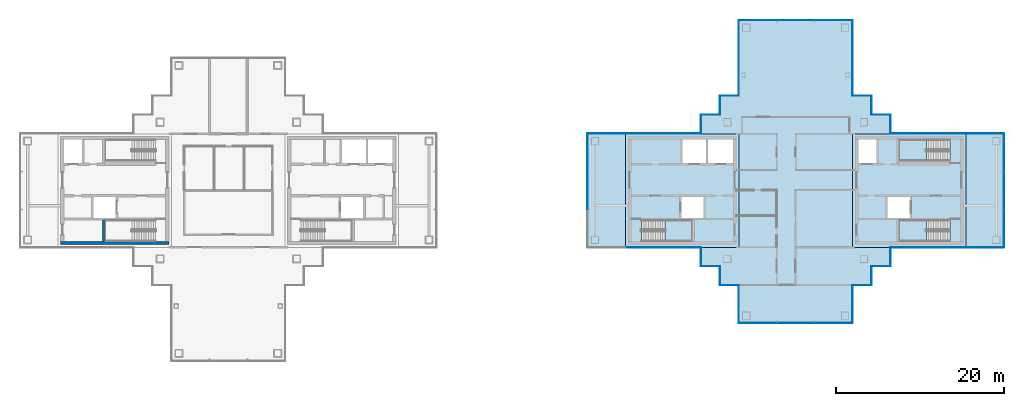
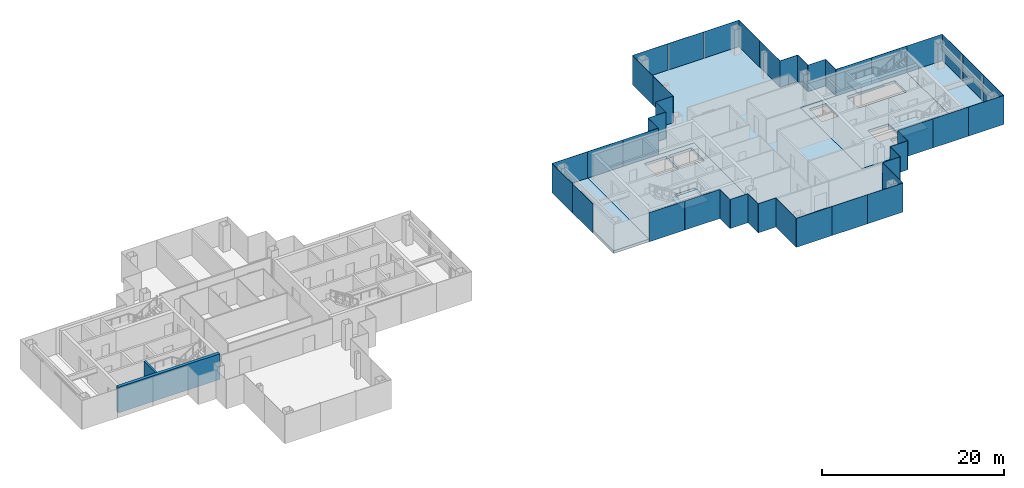
# One storey, part 8 of 15: 44 plates, 8 slabs, 2 walls, 22 elements without a shape of their own.
"""IFC4 building model written with IfcOpenShell, lengths in metres."""

from ifc_helpers import new_model, si_unit, direction, frame, frame_2d, origin, origin_2d, place, context, subcontext, project, spatial, polyline, rectangle, outline, extrude, material, layer, layer_set, type_object, element, aggregate, save


model = new_model("IFC4")

# Units and contexts
model_context = context("Model", 3, precision=1e-05, world=origin(), true_north=direction((0.0, 1.0)))
body_context = subcontext(model_context, "Body", "Model", "MODEL_VIEW")
ifc_project = project(units=[si_unit("LENGTHUNIT", "METRE"), si_unit("AREAUNIT", "SQUARE_METRE"), si_unit("VOLUMEUNIT", "CUBIC_METRE"), si_unit("PLANEANGLEUNIT", "RADIAN"), si_unit("MASSUNIT", "GRAM", prefix="KILO")], contexts=[model_context])

# Site, building, storey
site_placement = place(None, origin())
site = spatial("IfcSite", under=ifc_project, at=site_placement, CompositionType="ELEMENT")
building_placement = place(site_placement, origin())
building = spatial("IfcBuilding", under=site, at=building_placement, Name="Shamsa Quay Exchange Towers", CompositionType="ELEMENT")
storey_placement = place(building_placement, frame((0.0, 0.0, 269.39990234375)))
storey = spatial("IfcBuildingStorey", under=building, at=storey_placement, Name="L65", CompositionType="ELEMENT", Elevation=269.39990234375)

# Slabs
ifc_material_1 = material(Name="Concrete C50/60", Category="concrete")
ifc_layer_1 = layer(ifc_material_1, 0.35009765625)
ifc_layer_set_1 = layer_set([ifc_layer_1], Name="CORE FLOOR 350 C50/60")
slab_type_1 = type_object("IfcSlabType", Name="CORE FLOOR 350 C50/60", PredefinedType="FLOOR", material=ifc_layer_set_1)
slab_1_placement = place(storey_placement, frame((0.0, 0.0, -0.349853515625)))
element("IfcSlab", 1, at=slab_1_placement, inside=storey, type_object=slab_type_1, Name="Core floor T2A", PredefinedType="FLOOR", context=body_context, shape_type="SweptSolid", body=[
    extrude(outline(polyline([(13.5, -6.75), (27.0, -6.75), (27.0, 6.75), (13.5, 6.75), (13.5, -6.75)]), holes=[polyline([(15.400634765625, -6.050048828125), (15.400634765625, -3.5), (21.5, -3.5), (21.5, -6.050048828125), (15.400634765625, -6.050048828125)]), polyline([(20.300048828125, 3.25), (20.300048828125, 6.050048828125), (23.10009765625, 6.050048828125), (23.10009765625, 3.25), (20.300048828125, 3.25)]), polyline([(23.35009765625, 3.25), (23.35009765625, 6.050048828125), (26.300048828125, 6.050048828125), (26.300048828125, 3.25), (23.35009765625, 3.25)]), polyline([(20.14990234375, -3.25), (20.14990234375, -0.75), (22.800048828125, -0.75), (22.800048828125, -3.25), (20.14990234375, -3.25)])]), origin(), (0.0, 0.0, 1.0), 0.349853515625),
])
slab_2_placement = place(storey_placement, frame((0.0, 0.0, -0.349853515625)))
element("IfcSlab", 2, at=slab_2_placement, inside=storey, type_object=slab_type_1, Name="Core floor T2B", PredefinedType="FLOOR", context=body_context, shape_type="SweptSolid", body=[
    extrude(outline(polyline([(54.0, -6.75), (54.0, 6.75), (40.5, 6.75), (40.5, -6.75), (54.0, -6.75)]), holes=[polyline([(52.099365234375, -3.5), (52.099365234375, -6.050048828125), (46.0, -6.050048828125), (46.0, -3.5), (52.099365234375, -3.5)]), polyline([(52.099365234375, 6.050048828125), (52.099365234375, 3.5), (46.0, 3.5), (46.0, 6.050048828125), (52.099365234375, 6.050048828125)]), polyline([(43.35009765625, 3.25), (41.199951171875, 3.25), (41.199951171875, 6.050048828125), (43.35009765625, 6.050048828125), (43.35009765625, 3.25)]), polyline([(47.35009765625, -3.25), (44.699951171875, -3.25), (44.699951171875, -0.75), (47.35009765625, -0.75), (47.35009765625, -3.25)])]), origin(), (0.0, 0.0, 1.0), 0.349853515625),
])

# Stair, slab
ifc_material_2 = material(Name="Concrete C40/50", Category="concrete")
stair_type = type_object("IfcStairType", Name="EXIT STAIR 22 RISERS 177 MM", PredefinedType="HALF_TURN_STAIR", material=ifc_material_2)
stair_1_placement = place(storey_placement, origin())
stair_1 = element("IfcStair", 3, at=stair_1_placement, inside=storey, type_object=stair_type, Name="L65 Exit stair ST4", PredefinedType="HALF_TURN_STAIR")
ifc_layer_2 = layer(ifc_material_2, 0.199951171875)
ifc_layer_set_2 = layer_set([ifc_layer_2], Name="CORE STAIR LANDING")
slab_type_2 = type_object("IfcSlabType", Name="CORE STAIR LANDING", PredefinedType="LANDING", material=ifc_layer_set_2)
slab_3_placement = place(storey_placement, frame((0.0, 0.0, 1.75)))
slab_3 = element("IfcSlab", 4, at=slab_3_placement, type_object=slab_type_2, Name="ST4 landing 1", PredefinedType="LANDING", context=body_context, shape_type="SweptSolid", body=[
    extrude(outline(polyline([(18.199951171875, -6.050048828125), (21.5, -6.050048828125), (21.5, -3.5), (18.199951171875, -3.5), (18.199951171875, -6.050048828125)])), origin(), (0.0, 0.0, 1.0), 0.2001953125),
])
aggregate(stair_1, [slab_3])

stair_2_placement = place(storey_placement, origin())
stair_2 = element("IfcStair", 5, at=stair_2_placement, inside=storey, type_object=stair_type, Name="L65 Exit stair ST5", PredefinedType="HALF_TURN_STAIR")
slab_4_placement = place(storey_placement, frame((0.0, 0.0, 1.75)))
slab_4 = element("IfcSlab", 6, at=slab_4_placement, type_object=slab_type_2, Name="ST5 landing 1", PredefinedType="LANDING", context=body_context, shape_type="SweptSolid", body=[
    extrude(outline(polyline([(49.300048828125, -3.5), (46.0, -3.5), (46.0, -6.050048828125), (49.300048828125, -6.050048828125), (49.300048828125, -3.5)])), origin(), (0.0, 0.0, 1.0), 0.2001953125),
])
aggregate(stair_2, [slab_4])

stair_3_placement = place(storey_placement, origin())
stair_3 = element("IfcStair", 7, at=stair_3_placement, inside=storey, type_object=stair_type, Name="L65 Exit stair ST6", PredefinedType="HALF_TURN_STAIR")
slab_5_placement = place(storey_placement, frame((0.0, 0.0, 1.75)))
slab_5 = element("IfcSlab", 8, at=slab_5_placement, type_object=slab_type_2, Name="ST6 landing 1", PredefinedType="LANDING", context=body_context, shape_type="SweptSolid", body=[
    extrude(outline(polyline([(49.300048828125, 6.050048828125), (46.0, 6.050048828125), (46.0, 3.5), (49.300048828125, 3.5), (49.300048828125, 6.050048828125)])), origin(), (0.0, 0.0, 1.0), 0.2001953125),
])
aggregate(stair_3, [slab_5])

# Curtain wall, plate
ifc_material_3 = material(Name="Aluminium EN AW-6063 T6, black anodised", Category="aluminium")
ifc_layer_3 = layer(ifc_material_3, 0.280029296875)
ifc_layer_set_3 = layer_set([ifc_layer_3], Name="CW-1 UNITISED VISION GLASS")
curtain_wall_type_1 = type_object("IfcCurtainWallType", Name="CW-1 UNITISED VISION GLASS", PredefinedType="NOTDEFINED", material=ifc_layer_set_3)
curtain_wall_1_placement = place(storey_placement, origin())
curtain_wall_1 = element("IfcCurtainWall", 9, at=curtain_wall_1_placement, inside=storey, type_object=curtain_wall_type_1, Name="CW1 T2-FLK-V-W L65", PredefinedType="NOTDEFINED")
ifc_material_4 = material(Name="Glass, laminated, dark tinted", Category="glass")
ifc_layer_4 = layer(ifc_material_4, 0.0400390625)
ifc_layer_set_4 = layer_set([ifc_layer_4], Name="CW-1 VISION GLASS 40")
plate_type_1 = type_object("IfcPlateType", Name="CW-1 VISION GLASS 40", PredefinedType="CURTAIN_PANEL", material=ifc_layer_set_4)
plate_1_placement = place(storey_placement, frame((56.25, -6.77001953125, -0.349853515625)))
plate_1 = element("IfcPlate", 10, at=plate_1_placement, type_object=plate_type_1, Name="CW1 glass panel", PredefinedType="CURTAIN_PANEL", context=body_context, shape_type="SweptSolid", body=[
    extrude(rectangle(XDim=4.5, YDim=0.0400390625, at=origin_2d()), origin(), (0.0, 0.0, 1.0), 3.89990234375),
])
aggregate(curtain_wall_1, [plate_1])

# Curtain wall, plates
curtain_wall_2_placement = place(storey_placement, origin())
curtain_wall_2 = element("IfcCurtainWall", 11, at=curtain_wall_2_placement, inside=storey, type_object=curtain_wall_type_1, Name="CW1 T2-END-V- L65", PredefinedType="NOTDEFINED")
plate_2_placement = place(storey_placement, frame((58.52001953125, -4.50244140625, -0.349853515625), z_axis=(0.0, 0.0, 1.0), x_axis=(0.0, 1.0, 0.0)))
plate_2 = element("IfcPlate", 12, at=plate_2_placement, type_object=plate_type_1, Name="CW1 glass panel", PredefinedType="CURTAIN_PANEL", context=body_context, shape_type="SweptSolid", body=[
    extrude(rectangle(XDim=4.4951171875, YDim=0.0400390625, at=origin_2d()), origin(), (0.0, 0.0, 1.0), 3.89990234375),
])
plate_3_placement = place(storey_placement, frame((58.52001953125, 0.0, -0.349853515625), z_axis=(0.0, 0.0, 1.0), x_axis=(0.0, 1.0, 0.0)))
plate_3 = element("IfcPlate", 13, at=plate_3_placement, type_object=plate_type_1, Name="CW1 glass panel", PredefinedType="CURTAIN_PANEL", context=body_context, shape_type="SweptSolid", body=[
    extrude(rectangle(XDim=4.489990234375, YDim=0.0400390625, at=origin_2d()), origin(), (0.0, 0.0, 1.0), 3.89990234375),
])
plate_4_placement = place(storey_placement, frame((58.52001953125, 4.50244140625, -0.349853515625), z_axis=(0.0, 0.0, 1.0), x_axis=(0.0, 1.0, 0.0)))
plate_4 = element("IfcPlate", 14, at=plate_4_placement, type_object=plate_type_1, Name="CW1 glass panel", PredefinedType="CURTAIN_PANEL", context=body_context, shape_type="SweptSolid", body=[
    extrude(rectangle(XDim=4.4951171875, YDim=0.0400390625, at=origin_2d()), origin(), (0.0, 0.0, 1.0), 3.89990234375),
])
aggregate(curtain_wall_2, [plate_2, plate_3, plate_4])

# Curtain wall, plate
curtain_wall_3_placement = place(storey_placement, origin())
curtain_wall_3 = element("IfcCurtainWall", 15, at=curtain_wall_3_placement, inside=storey, type_object=curtain_wall_type_1, Name="CW1 T2-FLK-V-E L65", PredefinedType="NOTDEFINED")
plate_5_placement = place(storey_placement, frame((56.25, 6.77001953125, -0.349853515625), z_axis=(0.0, 0.0, 1.0), x_axis=(-1.0, 0.0, 0.0)))
plate_5 = element("IfcPlate", 16, at=plate_5_placement, type_object=plate_type_1, Name="CW1 glass panel", PredefinedType="CURTAIN_PANEL", context=body_context, shape_type="SweptSolid", body=[
    extrude(rectangle(XDim=4.5, YDim=0.0400390625, at=origin_2d()), origin(), (0.0, 0.0, 1.0), 3.89990234375),
])
aggregate(curtain_wall_3, [plate_5])

# Curtain wall, plates
curtain_wall_4_placement = place(storey_placement, origin())
curtain_wall_4 = element("IfcCurtainWall", 17, at=curtain_wall_4_placement, inside=storey, type_object=curtain_wall_type_1, Name="CW1 T2-FLK-U+S L65", PredefinedType="NOTDEFINED")
plate_6_placement = place(storey_placement, frame((40.52001953125, 13.52587890625, -0.349853515625), z_axis=(0.0, 0.0, 1.0), x_axis=(0.0, 1.0, 0.0)))
plate_6 = element("IfcPlate", 18, at=plate_6_placement, type_object=plate_type_1, Name="CW1 glass panel", PredefinedType="CURTAIN_PANEL", context=body_context, shape_type="SweptSolid", body=[
    extrude(rectangle(XDim=4.47607421875, YDim=0.0400390625, at=origin_2d()), origin(), (0.0, 0.0, 1.0), 3.89990234375),
])
plate_7_placement = place(storey_placement, frame((40.52001953125, 18.011962890625, -0.349853515625), z_axis=(0.0, 0.0, 1.0), x_axis=(0.0, 1.0, 0.0)))
plate_7 = element("IfcPlate", 19, at=plate_7_placement, type_object=plate_type_1, Name="CW1 glass panel", PredefinedType="CURTAIN_PANEL", context=body_context, shape_type="SweptSolid", body=[
    extrude(rectangle(XDim=4.47607421875, YDim=0.0400390625, at=origin_2d()), origin(), (0.0, 0.0, 1.0), 3.89990234375),
])
aggregate(curtain_wall_4, [plate_6, plate_7])

curtain_wall_5_placement = place(storey_placement, origin())
curtain_wall_5 = element("IfcCurtainWall", 20, at=curtain_wall_5_placement, inside=storey, type_object=curtain_wall_type_1, Name="CW1 T2-END-U+ L65", PredefinedType="NOTDEFINED")
plate_8_placement = place(storey_placement, frame((38.25244140625, 20.27001953125, -0.349853515625), z_axis=(0.0, 0.0, 1.0), x_axis=(-1.0, 0.0, 0.0)))
plate_8 = element("IfcPlate", 21, at=plate_8_placement, type_object=plate_type_1, Name="CW1 glass panel", PredefinedType="CURTAIN_PANEL", context=body_context, shape_type="SweptSolid", body=[
    extrude(rectangle(XDim=4.4951171875, YDim=0.0400390625, at=origin_2d()), origin(), (0.0, 0.0, 1.0), 3.89990234375),
])
plate_9_placement = place(storey_placement, frame((33.75, 20.27001953125, -0.349853515625), z_axis=(0.0, 0.0, 1.0), x_axis=(-1.0, 0.0, 0.0)))
plate_9 = element("IfcPlate", 22, at=plate_9_placement, type_object=plate_type_1, Name="CW1 glass panel", PredefinedType="CURTAIN_PANEL", context=body_context, shape_type="SweptSolid", body=[
    extrude(rectangle(XDim=4.489990234375, YDim=0.0400390625, at=origin_2d()), origin(), (0.0, 0.0, 1.0), 3.89990234375),
])
plate_10_placement = place(storey_placement, frame((29.24755859375, 20.27001953125, -0.349853515625), z_axis=(0.0, 0.0, 1.0), x_axis=(-1.0, 0.0, 0.0)))
plate_10 = element("IfcPlate", 23, at=plate_10_placement, type_object=plate_type_1, Name="CW1 glass panel", PredefinedType="CURTAIN_PANEL", context=body_context, shape_type="SweptSolid", body=[
    extrude(rectangle(XDim=4.4951171875, YDim=0.0400390625, at=origin_2d()), origin(), (0.0, 0.0, 1.0), 3.89990234375),
])
aggregate(curtain_wall_5, [plate_8, plate_9, plate_10])

curtain_wall_6_placement = place(storey_placement, origin())
curtain_wall_6 = element("IfcCurtainWall", 24, at=curtain_wall_6_placement, inside=storey, type_object=curtain_wall_type_1, Name="CW1 T2-FLK-U+N L65", PredefinedType="NOTDEFINED")
plate_11_placement = place(storey_placement, frame((26.97998046875, 18.00244140625, -0.349853515625), z_axis=(0.0, 0.0, 1.0), x_axis=(0.0, -1.0, 0.0)))
plate_11 = element("IfcPlate", 25, at=plate_11_placement, type_object=plate_type_1, Name="CW1 glass panel", PredefinedType="CURTAIN_PANEL", context=body_context, shape_type="SweptSolid", body=[
    extrude(rectangle(XDim=4.4951171875, YDim=0.0400390625, at=origin_2d()), origin(), (0.0, 0.0, 1.0), 3.89990234375),
])
plate_12_placement = place(storey_placement, frame((26.97998046875, 13.49755859375, -0.349853515625), z_axis=(0.0, 0.0, 1.0), x_axis=(0.0, -1.0, 0.0)))
plate_12 = element("IfcPlate", 26, at=plate_12_placement, type_object=plate_type_1, Name="CW1 glass panel", PredefinedType="CURTAIN_PANEL", context=body_context, shape_type="SweptSolid", body=[
    extrude(rectangle(XDim=4.4951171875, YDim=0.0400390625, at=origin_2d()), origin(), (0.0, 0.0, 1.0), 3.89990234375),
])
aggregate(curtain_wall_6, [plate_11, plate_12])

# Curtain wall, plate
curtain_wall_7_placement = place(storey_placement, origin())
curtain_wall_7 = element("IfcCurtainWall", 27, at=curtain_wall_7_placement, inside=storey, type_object=curtain_wall_type_1, Name="CW1 T2-FLK-V+E L65", PredefinedType="NOTDEFINED")
plate_13_placement = place(storey_placement, frame((11.25, 6.77001953125, -0.349853515625), z_axis=(0.0, 0.0, 1.0), x_axis=(-1.0, 0.0, 0.0)))
plate_13 = element("IfcPlate", 28, at=plate_13_placement, type_object=plate_type_1, Name="CW1 glass panel", PredefinedType="CURTAIN_PANEL", context=body_context, shape_type="SweptSolid", body=[
    extrude(rectangle(XDim=4.5, YDim=0.0400390625, at=origin_2d()), origin(), (0.0, 0.0, 1.0), 3.89990234375),
])
aggregate(curtain_wall_7, [plate_13])

# Curtain wall, plates
curtain_wall_8_placement = place(storey_placement, origin())
curtain_wall_8 = element("IfcCurtainWall", 29, at=curtain_wall_8_placement, inside=storey, type_object=curtain_wall_type_1, Name="CW1 T2-END-V+ L65", PredefinedType="NOTDEFINED")
plate_14_placement = place(storey_placement, frame((8.97998046875, 4.50244140625, -0.349853515625), z_axis=(0.0, 0.0, 1.0), x_axis=(0.0, -1.0, 0.0)))
plate_14 = element("IfcPlate", 30, at=plate_14_placement, type_object=plate_type_1, Name="CW1 glass panel", PredefinedType="CURTAIN_PANEL", context=body_context, shape_type="SweptSolid", body=[
    extrude(rectangle(XDim=4.4951171875, YDim=0.0400390625, at=origin_2d()), origin(), (0.0, 0.0, 1.0), 3.89990234375),
])
plate_15_placement = place(storey_placement, frame((8.97998046875, 0.0, -0.349853515625), z_axis=(0.0, 0.0, 1.0), x_axis=(0.0, -1.0, 0.0)))
plate_15 = element("IfcPlate", 31, at=plate_15_placement, type_object=plate_type_1, Name="CW1 glass panel", PredefinedType="CURTAIN_PANEL", context=body_context, shape_type="SweptSolid", body=[
    extrude(rectangle(XDim=4.489990234375, YDim=0.0400390625, at=origin_2d()), origin(), (0.0, 0.0, 1.0), 3.89990234375),
])
aggregate(curtain_wall_8, [plate_14, plate_15])

# Curtain wall, plate
curtain_wall_9_placement = place(storey_placement, origin())
curtain_wall_9 = element("IfcCurtainWall", 32, at=curtain_wall_9_placement, inside=storey, type_object=curtain_wall_type_1, Name="CW1 T2-FLK-U-N L65", PredefinedType="NOTDEFINED")
plate_16_placement = place(storey_placement, frame((26.97998046875, -13.51904296875, -0.349853515625), z_axis=(0.0, 0.0, 1.0), x_axis=(0.0, -1.0, 0.0)))
plate_16 = element("IfcPlate", 33, at=plate_16_placement, type_object=plate_type_1, Name="CW1 glass panel", PredefinedType="CURTAIN_PANEL", context=body_context, shape_type="SweptSolid", body=[
    extrude(rectangle(XDim=4.4619140625, YDim=0.0400390625, at=origin_2d()), origin(), (0.0, 0.0, 1.0), 3.89990234375),
])
aggregate(curtain_wall_9, [plate_16])

# Curtain wall, plates
curtain_wall_10_placement = place(storey_placement, origin())
curtain_wall_10 = element("IfcCurtainWall", 34, at=curtain_wall_10_placement, inside=storey, type_object=curtain_wall_type_1, Name="CW1 T2-END-U- L65", PredefinedType="NOTDEFINED")
plate_17_placement = place(storey_placement, frame((29.24755859375, -15.77001953125, -0.349853515625)))
plate_17 = element("IfcPlate", 35, at=plate_17_placement, type_object=plate_type_1, Name="CW1 glass panel", PredefinedType="CURTAIN_PANEL", context=body_context, shape_type="SweptSolid", body=[
    extrude(rectangle(XDim=4.4951171875, YDim=0.0400390625, at=origin_2d()), origin(), (0.0, 0.0, 1.0), 3.89990234375),
])
plate_18_placement = place(storey_placement, frame((33.75, -15.77001953125, -0.349853515625)))
plate_18 = element("IfcPlate", 36, at=plate_18_placement, type_object=plate_type_1, Name="CW1 glass panel", PredefinedType="CURTAIN_PANEL", context=body_context, shape_type="SweptSolid", body=[
    extrude(rectangle(XDim=4.489990234375, YDim=0.0400390625, at=origin_2d()), origin(), (0.0, 0.0, 1.0), 3.89990234375),
])
plate_19_placement = place(storey_placement, frame((38.25244140625, -15.77001953125, -0.349853515625)))
plate_19 = element("IfcPlate", 37, at=plate_19_placement, type_object=plate_type_1, Name="CW1 glass panel", PredefinedType="CURTAIN_PANEL", context=body_context, shape_type="SweptSolid", body=[
    extrude(rectangle(XDim=4.4951171875, YDim=0.0400390625, at=origin_2d()), origin(), (0.0, 0.0, 1.0), 3.89990234375),
])
aggregate(curtain_wall_10, [plate_17, plate_18, plate_19])

# Curtain wall, plate
curtain_wall_11_placement = place(storey_placement, origin())
curtain_wall_11 = element("IfcCurtainWall", 38, at=curtain_wall_11_placement, inside=storey, type_object=curtain_wall_type_1, Name="CW1 T2-FLK-U-S L65", PredefinedType="NOTDEFINED")
plate_20_placement = place(storey_placement, frame((40.52001953125, -13.5, -0.349853515625), z_axis=(0.0, 0.0, 1.0), x_axis=(0.0, 1.0, 0.0)))
plate_20 = element("IfcPlate", 39, at=plate_20_placement, type_object=plate_type_1, Name="CW1 glass panel", PredefinedType="CURTAIN_PANEL", context=body_context, shape_type="SweptSolid", body=[
    extrude(rectangle(XDim=4.5, YDim=0.0400390625, at=origin_2d()), origin(), (0.0, 0.0, 1.0), 3.89990234375),
])
aggregate(curtain_wall_11, [plate_20])

# Curtain wall, plates
ifc_layer_5 = layer(ifc_material_3, 0.303955078125)
ifc_layer_set_5 = layer_set([ifc_layer_5], Name="CW-2 UNITISED OPAQUE SPANDREL GLASS")
curtain_wall_type_2 = type_object("IfcCurtainWallType", Name="CW-2 UNITISED OPAQUE SPANDREL GLASS", PredefinedType="NOTDEFINED", material=ifc_layer_set_5)
curtain_wall_12_placement = place(storey_placement, origin())
curtain_wall_12 = element("IfcCurtainWall", 40, at=curtain_wall_12_placement, inside=storey, type_object=curtain_wall_type_2, Name="CW2 T2-FLK-V-W L65", PredefinedType="NOTDEFINED")
ifc_material_5 = material(Name="Glass, laminated, black enamelled opaque", Category="glass")
ifc_layer_6 = layer(ifc_material_5, 0.0439453125)
ifc_layer_set_6 = layer_set([ifc_layer_6], Name="CW-2 SPANDREL GLASS 44")
plate_type_2 = type_object("IfcPlateType", Name="CW-2 SPANDREL GLASS 44", PredefinedType="CURTAIN_PANEL", material=ifc_layer_set_6)
plate_21_placement = place(storey_placement, frame((47.27587890625, -6.77197265625, -0.349853515625)))
plate_21 = element("IfcPlate", 41, at=plate_21_placement, type_object=plate_type_2, Name="CW2 glass panel", PredefinedType="CURTAIN_PANEL", context=body_context, shape_type="SweptSolid", body=[
    extrude(rectangle(XDim=4.47607421875, YDim=0.0439453125, at=origin_2d()), origin(), (0.0, 0.0, 1.0), 3.89990234375),
])
plate_22_placement = place(storey_placement, frame((51.761962890625, -6.77197265625, -0.349853515625)))
plate_22 = element("IfcPlate", 42, at=plate_22_placement, type_object=plate_type_2, Name="CW2 glass panel", PredefinedType="CURTAIN_PANEL", context=body_context, shape_type="SweptSolid", body=[
    extrude(rectangle(XDim=4.47607421875, YDim=0.0439453125, at=origin_2d()), origin(), (0.0, 0.0, 1.0), 3.89990234375),
])
aggregate(curtain_wall_12, [plate_21, plate_22])

curtain_wall_13_placement = place(storey_placement, origin())
curtain_wall_13 = element("IfcCurtainWall", 43, at=curtain_wall_13_placement, inside=storey, type_object=curtain_wall_type_2, Name="CW2 T2-FLK-V-E L65", PredefinedType="NOTDEFINED")
plate_23_placement = place(storey_placement, frame((51.75244140625, 6.77197265625, -0.349853515625), z_axis=(0.0, 0.0, 1.0), x_axis=(-1.0, 0.0, 0.0)))
plate_23 = element("IfcPlate", 44, at=plate_23_placement, type_object=plate_type_2, Name="CW2 glass panel", PredefinedType="CURTAIN_PANEL", context=body_context, shape_type="SweptSolid", body=[
    extrude(rectangle(XDim=4.4951171875, YDim=0.0439453125, at=origin_2d()), origin(), (0.0, 0.0, 1.0), 3.89990234375),
])
plate_24_placement = place(storey_placement, frame((47.24755859375, 6.77197265625, -0.349853515625), z_axis=(0.0, 0.0, 1.0), x_axis=(-1.0, 0.0, 0.0)))
plate_24 = element("IfcPlate", 45, at=plate_24_placement, type_object=plate_type_2, Name="CW2 glass panel", PredefinedType="CURTAIN_PANEL", context=body_context, shape_type="SweptSolid", body=[
    extrude(rectangle(XDim=4.4951171875, YDim=0.0439453125, at=origin_2d()), origin(), (0.0, 0.0, 1.0), 3.89990234375),
])
aggregate(curtain_wall_13, [plate_23, plate_24])

curtain_wall_14_placement = place(storey_placement, origin())
curtain_wall_14 = element("IfcCurtainWall", 46, at=curtain_wall_14_placement, inside=storey, type_object=curtain_wall_type_2, Name="CW2 T2-FLK-V+E L65", PredefinedType="NOTDEFINED")
plate_25_placement = place(storey_placement, frame((20.22412109375, 6.77197265625, -0.349853515625), z_axis=(0.0, 0.0, 1.0), x_axis=(-1.0, 0.0, 0.0)))
plate_25 = element("IfcPlate", 47, at=plate_25_placement, type_object=plate_type_2, Name="CW2 glass panel", PredefinedType="CURTAIN_PANEL", context=body_context, shape_type="SweptSolid", body=[
    extrude(rectangle(XDim=4.47607421875, YDim=0.0439453125, at=origin_2d()), origin(), (0.0, 0.0, 1.0), 3.89990234375),
])
plate_26_placement = place(storey_placement, frame((15.738037109375, 6.77197265625, -0.349853515625), z_axis=(0.0, 0.0, 1.0), x_axis=(-1.0, 0.0, 0.0)))
plate_26 = element("IfcPlate", 48, at=plate_26_placement, type_object=plate_type_2, Name="CW2 glass panel", PredefinedType="CURTAIN_PANEL", context=body_context, shape_type="SweptSolid", body=[
    extrude(rectangle(XDim=4.47607421875, YDim=0.0439453125, at=origin_2d()), origin(), (0.0, 0.0, 1.0), 3.89990234375),
])
aggregate(curtain_wall_14, [plate_25, plate_26])

curtain_wall_15_placement = place(storey_placement, origin())
curtain_wall_15 = element("IfcCurtainWall", 49, at=curtain_wall_15_placement, inside=storey, type_object=curtain_wall_type_2, Name="CW2 T2-FLK-V+W L65", PredefinedType="NOTDEFINED")
plate_27_placement = place(storey_placement, frame((15.74755859375, -6.77197265625, -0.349853515625)))
plate_27 = element("IfcPlate", 50, at=plate_27_placement, type_object=plate_type_2, Name="CW2 glass panel", PredefinedType="CURTAIN_PANEL", context=body_context, shape_type="SweptSolid", body=[
    extrude(rectangle(XDim=4.4951171875, YDim=0.0439453125, at=origin_2d()), origin(), (0.0, 0.0, 1.0), 3.89990234375),
])
plate_28_placement = place(storey_placement, frame((20.25244140625, -6.77197265625, -0.349853515625)))
plate_28 = element("IfcPlate", 51, at=plate_28_placement, type_object=plate_type_2, Name="CW2 glass panel", PredefinedType="CURTAIN_PANEL", context=body_context, shape_type="SweptSolid", body=[
    extrude(rectangle(XDim=4.4951171875, YDim=0.0439453125, at=origin_2d()), origin(), (0.0, 0.0, 1.0), 3.89990234375),
])
aggregate(curtain_wall_15, [plate_27, plate_28])

ifc_layer_7 = layer(ifc_material_3, 0.256103515625)
ifc_layer_set_7 = layer_set([ifc_layer_7], Name="CW-4 POCKET SERRATED GLAZING")
curtain_wall_type_3 = type_object("IfcCurtainWallType", Name="CW-4 POCKET SERRATED GLAZING", PredefinedType="NOTDEFINED", material=ifc_layer_set_7)
curtain_wall_16_placement = place(storey_placement, origin())
curtain_wall_16 = element("IfcCurtainWall", 52, at=curtain_wall_16_placement, inside=storey, type_object=curtain_wall_type_3, Name="CW4 PKWS L65", PredefinedType="NOTDEFINED")
ifc_layer_8 = layer(ifc_material_4, 0.035888671875)
ifc_layer_set_8 = layer_set([ifc_layer_8], Name="CW-4 POCKET GLASS 36")
plate_type_3 = type_object("IfcPlateType", Name="CW-4 POCKET GLASS 36", PredefinedType="CURTAIN_PANEL", material=ifc_layer_set_8)
plate_29_placement = place(storey_placement, frame((43.89404296875, -9.01806640625, -0.349853515625)))
plate_29 = element("IfcPlate", 53, at=plate_29_placement, type_object=plate_type_3, Name="CW4 glass panel", PredefinedType="CURTAIN_PANEL", context=body_context, shape_type="SweptSolid", body=[
    extrude(rectangle(XDim=2.2119140625, YDim=0.035888671875, at=origin_2d()), origin(), (0.0, 0.0, 1.0), 3.89990234375),
])
plate_30_placement = place(storey_placement, frame((45.01806640625, -7.875, -0.349853515625), z_axis=(0.0, 0.0, 1.0), x_axis=(0.0, 1.0, 0.0)))
plate_30 = element("IfcPlate", 54, at=plate_30_placement, type_object=plate_type_3, Name="CW4 glass panel", PredefinedType="CURTAIN_PANEL", context=body_context, shape_type="SweptSolid", body=[
    extrude(rectangle(XDim=2.25, YDim=0.035888671875, at=origin_2d()), origin(), (0.0, 0.0, 1.0), 3.89990234375),
])
plate_31_placement = place(storey_placement, frame((41.64599609375, -11.26806640625, -0.349853515625)))
plate_31 = element("IfcPlate", 55, at=plate_31_placement, type_object=plate_type_3, Name="CW4 glass panel", PredefinedType="CURTAIN_PANEL", context=body_context, shape_type="SweptSolid", body=[
    extrude(rectangle(XDim=2.2080078125, YDim=0.035888671875, at=origin_2d()), origin(), (0.0, 0.0, 1.0), 3.89990234375),
])
plate_32_placement = place(storey_placement, frame((42.76806640625, -10.125, -0.349853515625), z_axis=(0.0, 0.0, 1.0), x_axis=(0.0, 1.0, 0.0)))
plate_32 = element("IfcPlate", 56, at=plate_32_placement, type_object=plate_type_3, Name="CW4 glass panel", PredefinedType="CURTAIN_PANEL", context=body_context, shape_type="SweptSolid", body=[
    extrude(rectangle(XDim=2.25, YDim=0.035888671875, at=origin_2d()), origin(), (0.0, 0.0, 1.0), 3.89990234375),
])
aggregate(curtain_wall_16, [plate_29, plate_30, plate_31, plate_32])

curtain_wall_17_placement = place(storey_placement, origin())
curtain_wall_17 = element("IfcCurtainWall", 57, at=curtain_wall_17_placement, inside=storey, type_object=curtain_wall_type_3, Name="CW4 PKES L65", PredefinedType="NOTDEFINED")
plate_33_placement = place(storey_placement, frame((45.01806640625, 7.89794921875, -0.349853515625), z_axis=(0.0, 0.0, 1.0), x_axis=(0.0, 1.0, 0.0)))
plate_33 = element("IfcPlate", 58, at=plate_33_placement, type_object=plate_type_3, Name="CW4 glass panel", PredefinedType="CURTAIN_PANEL", context=body_context, shape_type="SweptSolid", body=[
    extrude(rectangle(XDim=2.2041015625, YDim=0.035888671875, at=origin_2d()), origin(), (0.0, 0.0, 1.0), 3.89990234375),
])
plate_34_placement = place(storey_placement, frame((43.875, 9.01806640625, -0.349853515625), z_axis=(0.0, 0.0, 1.0), x_axis=(-1.0, 0.0, 0.0)))
plate_34 = element("IfcPlate", 59, at=plate_34_placement, type_object=plate_type_3, Name="CW4 glass panel", PredefinedType="CURTAIN_PANEL", context=body_context, shape_type="SweptSolid", body=[
    extrude(rectangle(XDim=2.25, YDim=0.035888671875, at=origin_2d()), origin(), (0.0, 0.0, 1.0), 3.89990234375),
])
plate_35_placement = place(storey_placement, frame((42.76806640625, 10.14404296875, -0.349853515625), z_axis=(0.0, 0.0, 1.0), x_axis=(0.0, 1.0, 0.0)))
plate_35 = element("IfcPlate", 60, at=plate_35_placement, type_object=plate_type_3, Name="CW4 glass panel", PredefinedType="CURTAIN_PANEL", context=body_context, shape_type="SweptSolid", body=[
    extrude(rectangle(XDim=2.2119140625, YDim=0.035888671875, at=origin_2d()), origin(), (0.0, 0.0, 1.0), 3.89990234375),
])
plate_36_placement = place(storey_placement, frame((41.625, 11.26806640625, -0.349853515625), z_axis=(0.0, 0.0, 1.0), x_axis=(-1.0, 0.0, 0.0)))
plate_36 = element("IfcPlate", 61, at=plate_36_placement, type_object=plate_type_3, Name="CW4 glass panel", PredefinedType="CURTAIN_PANEL", context=body_context, shape_type="SweptSolid", body=[
    extrude(rectangle(XDim=2.25, YDim=0.035888671875, at=origin_2d()), origin(), (0.0, 0.0, 1.0), 3.89990234375),
])
aggregate(curtain_wall_17, [plate_33, plate_34, plate_35, plate_36])

curtain_wall_18_placement = place(storey_placement, origin())
curtain_wall_18 = element("IfcCurtainWall", 62, at=curtain_wall_18_placement, inside=storey, type_object=curtain_wall_type_3, Name="CW4 PKEN L65", PredefinedType="NOTDEFINED")
plate_37_placement = place(storey_placement, frame((25.85400390625, 11.26806640625, -0.349853515625), z_axis=(0.0, 0.0, 1.0), x_axis=(-1.0, 0.0, 0.0)))
plate_37 = element("IfcPlate", 63, at=plate_37_placement, type_object=plate_type_3, Name="CW4 glass panel", PredefinedType="CURTAIN_PANEL", context=body_context, shape_type="SweptSolid", body=[
    extrude(rectangle(XDim=2.2080078125, YDim=0.035888671875, at=origin_2d()), origin(), (0.0, 0.0, 1.0), 3.89990234375),
])
plate_38_placement = place(storey_placement, frame((24.73193359375, 10.125, -0.349853515625), z_axis=(0.0, 0.0, 1.0), x_axis=(0.0, -1.0, 0.0)))
plate_38 = element("IfcPlate", 64, at=plate_38_placement, type_object=plate_type_3, Name="CW4 glass panel", PredefinedType="CURTAIN_PANEL", context=body_context, shape_type="SweptSolid", body=[
    extrude(rectangle(XDim=2.25, YDim=0.035888671875, at=origin_2d()), origin(), (0.0, 0.0, 1.0), 3.89990234375),
])
plate_39_placement = place(storey_placement, frame((23.60595703125, 9.01806640625, -0.349853515625), z_axis=(0.0, 0.0, 1.0), x_axis=(-1.0, 0.0, 0.0)))
plate_39 = element("IfcPlate", 65, at=plate_39_placement, type_object=plate_type_3, Name="CW4 glass panel", PredefinedType="CURTAIN_PANEL", context=body_context, shape_type="SweptSolid", body=[
    extrude(rectangle(XDim=2.2119140625, YDim=0.035888671875, at=origin_2d()), origin(), (0.0, 0.0, 1.0), 3.89990234375),
])
plate_40_placement = place(storey_placement, frame((22.48193359375, 7.875, -0.349853515625), z_axis=(0.0, 0.0, 1.0), x_axis=(0.0, -1.0, 0.0)))
plate_40 = element("IfcPlate", 66, at=plate_40_placement, type_object=plate_type_3, Name="CW4 glass panel", PredefinedType="CURTAIN_PANEL", context=body_context, shape_type="SweptSolid", body=[
    extrude(rectangle(XDim=2.25, YDim=0.035888671875, at=origin_2d()), origin(), (0.0, 0.0, 1.0), 3.89990234375),
])
aggregate(curtain_wall_18, [plate_37, plate_38, plate_39, plate_40])

curtain_wall_19_placement = place(storey_placement, origin())
curtain_wall_19 = element("IfcCurtainWall", 67, at=curtain_wall_19_placement, inside=storey, type_object=curtain_wall_type_3, Name="CW4 PKWN L65", PredefinedType="NOTDEFINED")
plate_41_placement = place(storey_placement, frame((22.48193359375, -7.89794921875, -0.349853515625), z_axis=(0.0, 0.0, 1.0), x_axis=(0.0, -1.0, 0.0)))
plate_41 = element("IfcPlate", 68, at=plate_41_placement, type_object=plate_type_3, Name="CW4 glass panel", PredefinedType="CURTAIN_PANEL", context=body_context, shape_type="SweptSolid", body=[
    extrude(rectangle(XDim=2.2041015625, YDim=0.035888671875, at=origin_2d()), origin(), (0.0, 0.0, 1.0), 3.89990234375),
])
plate_42_placement = place(storey_placement, frame((23.625, -9.01806640625, -0.349853515625)))
plate_42 = element("IfcPlate", 69, at=plate_42_placement, type_object=plate_type_3, Name="CW4 glass panel", PredefinedType="CURTAIN_PANEL", context=body_context, shape_type="SweptSolid", body=[
    extrude(rectangle(XDim=2.25, YDim=0.035888671875, at=origin_2d()), origin(), (0.0, 0.0, 1.0), 3.89990234375),
])
plate_43_placement = place(storey_placement, frame((24.73193359375, -10.14404296875, -0.349853515625), z_axis=(0.0, 0.0, 1.0), x_axis=(0.0, -1.0, 0.0)))
plate_43 = element("IfcPlate", 70, at=plate_43_placement, type_object=plate_type_3, Name="CW4 glass panel", PredefinedType="CURTAIN_PANEL", context=body_context, shape_type="SweptSolid", body=[
    extrude(rectangle(XDim=2.2119140625, YDim=0.035888671875, at=origin_2d()), origin(), (0.0, 0.0, 1.0), 3.89990234375),
])
plate_44_placement = place(storey_placement, frame((25.875, -11.26806640625, -0.349853515625)))
plate_44 = element("IfcPlate", 71, at=plate_44_placement, type_object=plate_type_3, Name="CW4 glass panel", PredefinedType="CURTAIN_PANEL", context=body_context, shape_type="SweptSolid", body=[
    extrude(rectangle(XDim=2.25, YDim=0.035888671875, at=origin_2d()), origin(), (0.0, 0.0, 1.0), 3.89990234375),
])
aggregate(curtain_wall_19, [plate_41, plate_42, plate_43, plate_44])

# Slabs
ifc_layer_9 = layer(ifc_material_2, 0.35009765625)
ifc_layer_set_9 = layer_set([ifc_layer_9], Name="Flat slab 350")
slab_type_3 = type_object("IfcSlabType", Name="Flat slab 350", PredefinedType="FLOOR", material=ifc_layer_set_9)
slab_6_placement = place(storey_placement, frame((0.0, 0.0, -0.349853515625)))
element("IfcSlab", 72, at=slab_6_placement, inside=storey, type_object=slab_type_3, Name="Flat slab T2 L65 4", PredefinedType="FLOOR", context=body_context, shape_type="SweptSolid", body=[
    extrude(outline(polyline([(9.0, -6.75), (13.5, -6.75), (13.5, 6.75), (9.0, 6.75), (9.0, -6.75)])), origin(), (0.0, 0.0, 1.0), 0.349853515625),
])
slab_7_placement = place(storey_placement, frame((0.0, 0.0, -0.349853515625)))
element("IfcSlab", 73, at=slab_7_placement, inside=storey, type_object=slab_type_3, Name="Flat slab T2 L65 5", PredefinedType="FLOOR", context=body_context, shape_type="SweptSolid", body=[
    extrude(outline(polyline([(45.0, -9.0), (45.0, -6.75), (40.5, -6.75), (40.5, 6.75), (45.0, 6.75), (45.0, 9.0), (42.75, 9.0), (42.75, 11.25), (40.5, 11.25), (40.5, 20.25), (27.0, 20.25), (27.0, 11.25), (24.75, 11.25), (24.75, 9.0), (22.5, 9.0), (22.5, 6.75), (27.0, 6.75), (27.0, -6.75), (22.5, -6.75), (22.5, -9.0), (24.75, -9.0), (24.75, -11.25), (27.0, -11.25), (27.0, -15.75), (40.5, -15.75), (40.5, -11.25), (42.75, -11.25), (42.75, -9.0), (45.0, -9.0)])), origin(), (0.0, 0.0, 1.0), 0.349853515625),
])
slab_8_placement = place(storey_placement, frame((0.0, 0.0, -0.349853515625)))
element("IfcSlab", 74, at=slab_8_placement, inside=storey, type_object=slab_type_3, Name="Flat slab T2 L65 6", PredefinedType="FLOOR", context=body_context, shape_type="SweptSolid", body=[
    extrude(outline(polyline([(58.5, 6.75), (54.0, 6.75), (54.0, -6.75), (58.5, -6.75), (58.5, 6.75)])), origin(), (0.0, 0.0, 1.0), 0.349853515625),
])

# Walls
ifc_material_6 = material(Name="Concrete C60/75", Category="concrete")
ifc_layer_10 = layer(ifc_material_6, 0.39990234375)
ifc_layer_set_10 = layer_set([ifc_layer_10], Name="CORE WALL 400 C60/75")
wall_type_1 = type_object("IfcWallType", Name="CORE WALL 400 C60/75", PredefinedType="SHEAR", material=ifc_layer_set_10)
wall_1_placement = place(storey_placement, frame((-40.800048828125, -6.25, 0.0), z_axis=(0.0, 0.0, 1.0), x_axis=(-1.0, 0.0, 0.0)))
element("IfcWall", 75, at=wall_1_placement, inside=storey, type_object=wall_type_1, Name="Core wall T1B-R30-PS", PredefinedType="SHEAR", context=body_context, shape_type="SweptSolid", body=[
    extrude(rectangle(XDim=12.89990234375, YDim=0.39990234375, at=frame_2d((6.449951171875, 0.0))), origin(), (0.0, 0.0, 1.0), 3.4501953125),
])
ifc_layer_11 = layer(ifc_material_1, 0.25)
ifc_layer_set_11 = layer_set([ifc_layer_11], Name="SHAFT WALL 250 C50/60")
wall_type_2 = type_object("IfcWallType", Name="SHAFT WALL 250 C50/60", PredefinedType="SHEAR", material=ifc_layer_set_11)
wall_2_placement = place(storey_placement, frame((-48.625, -6.050048828125, 0.0), z_axis=(0.0, 0.0, 1.0), x_axis=(0.0, 1.0, 0.0)))
element("IfcWall", 76, at=wall_2_placement, inside=storey, type_object=wall_type_2, Name="Shaft wall T1B-R30-STF", PredefinedType="SHEAR", context=body_context, shape_type="SweptSolid", body=[
    extrude(rectangle(XDim=2.550048828125, YDim=0.25, at=frame_2d((1.27490234375, 0.0))), origin(), (0.0, 0.0, 1.0), 3.4501953125),
])

save(model, "model.ifc")
